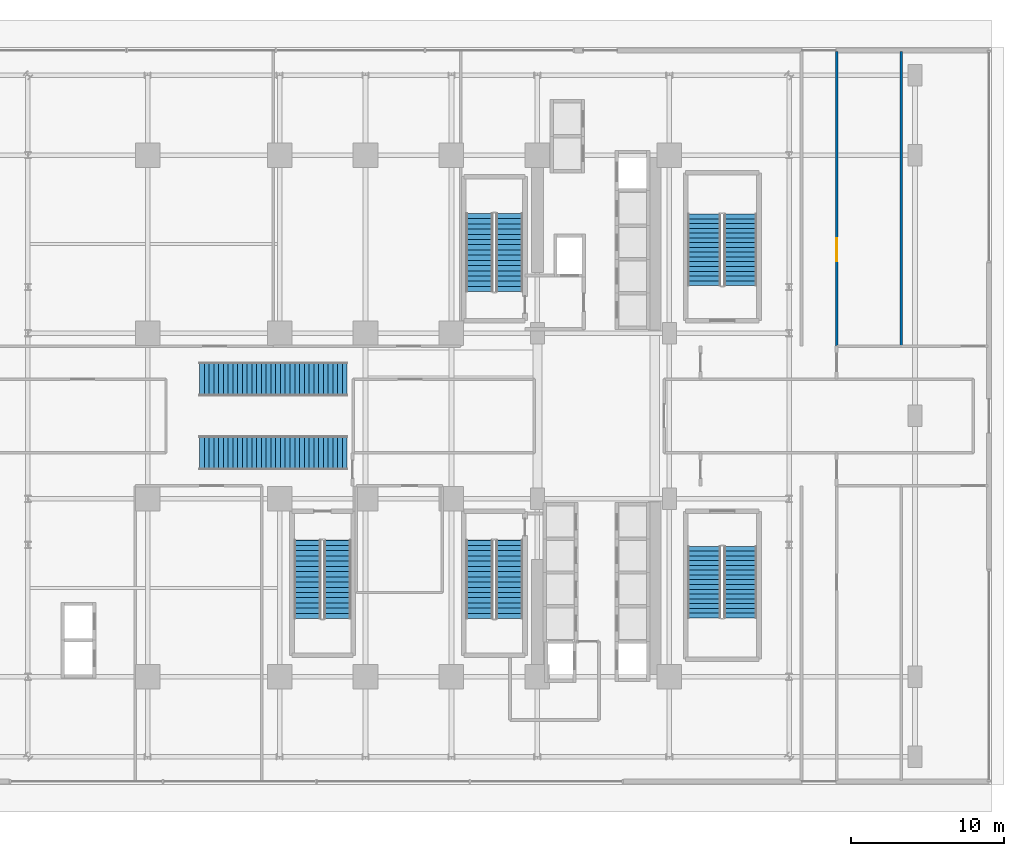
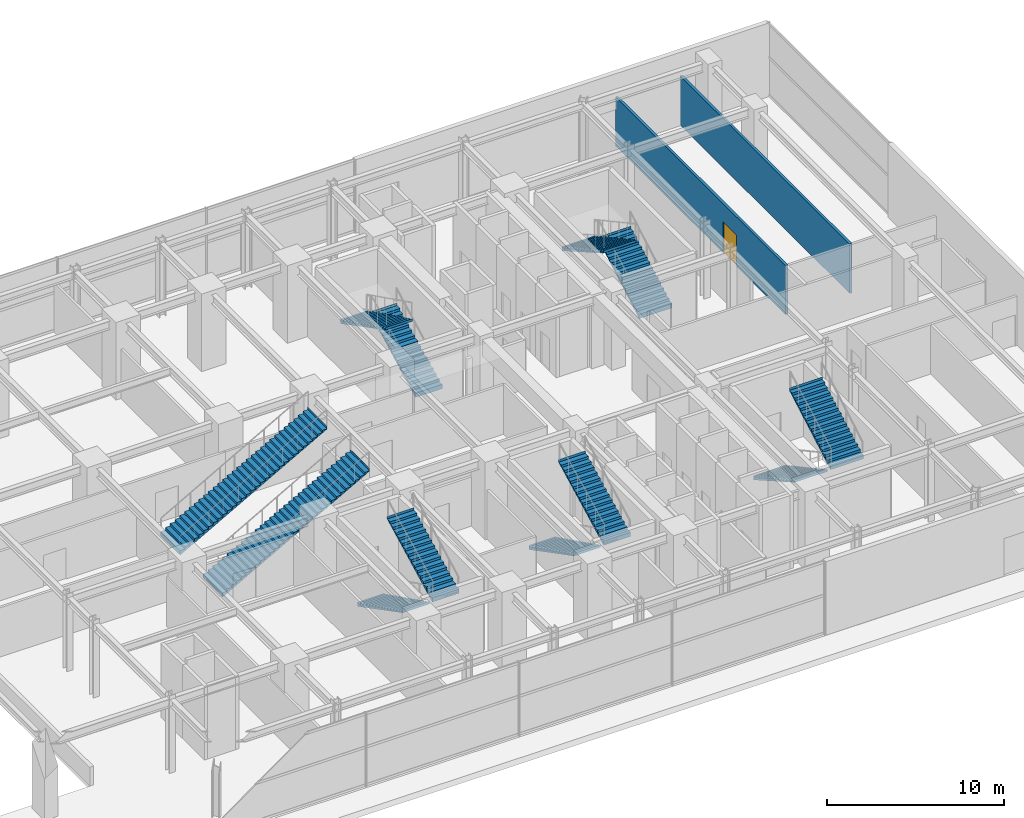
# One storey, part 26 of 29: 12 stair flights, 2 walls, 1 door, 1 opening, 7 elements without a shape of their own.
"""IFC4 building model written with IfcOpenShell, lengths in metres."""

from ifc_helpers import new_model, si_unit, direction, frame, frame_2d, origin, place, context, subcontext, project, spatial, polyline, rectangle, outline, extrude, source, transform, mapped, material, layer, layer_set, type_object, element, fill, aggregate, save


model = new_model("IFC4")

# Units and contexts
model_context = context("Model", 3, precision=1e-05, world=origin(), true_north=direction((0.0, 1.0)))
body_context = subcontext(model_context, "Body", "Model", "MODEL_VIEW")
ifc_project = project(units=[si_unit("LENGTHUNIT", "METRE"), si_unit("AREAUNIT", "SQUARE_METRE"), si_unit("VOLUMEUNIT", "CUBIC_METRE"), si_unit("PLANEANGLEUNIT", "RADIAN"), si_unit("MASSUNIT", "GRAM", prefix="KILO")], contexts=[model_context])

# Site, building, storey
site_placement = place(None, origin())
site = spatial("IfcSite", under=ifc_project, at=site_placement, CompositionType="ELEMENT")
building_placement = place(site_placement, origin())
building = spatial("IfcBuilding", under=site, at=building_placement, Name="Nahalor Promenade Grand Hotel", CompositionType="ELEMENT")
storey_placement = place(building_placement, origin())
storey = spatial("IfcBuildingStorey", under=building, at=storey_placement, Name="L00", CompositionType="ELEMENT", Elevation=0.0)

# Wall, opening, door
ifc_material_1 = material(Name="Acoustic Mineral Gypsum", Category="gypsum")
ifc_layer_1 = layer(ifc_material_1, 0.159912109375)
ifc_layer_set_1 = layer_set([ifc_layer_1], Name="Acoustic Mineral Gypsum")
wall_type = type_object("IfcWallType", Name="Wall-PartCorridor-160", PredefinedType="PARTITIONING", material=ifc_layer_set_1)
shared_shape_1 = source(origin(), body_context, "Body", "SweptSolid", [
    extrude(rectangle(XDim=19.2099609375, YDim=0.159912109375, at=frame_2d((9.60498046875, 0.0))), origin(), (0.0, 0.0, 1.0), 3.39990234375),
])
wall_1_placement = place(storey_placement, frame((27.89990234375, 4.550048828125, 0.0), z_axis=(0.0, 0.0, 1.0), x_axis=(0.0, 1.0, 0.0)))
wall_1 = element("IfcWall", 1, at=wall_1_placement, inside=storey, type_object=wall_type, Name="W-L00-PR06-W", PredefinedType="PARTITIONING", context=body_context, shape_type="MappedRepresentation", body=[
    mapped(shared_shape_1, transform((0.0, 0.0, 0.0), scale=1.0)),
])
opening_placement = place(wall_1_placement, frame((5.531005859375, 0.0, 0.0)))
opening = element("IfcOpeningElement", 2, at=opening_placement, cuts=wall_1, Name="Opening D-02", PredefinedType="OPENING", context=body_context, shape_type="SweptSolid", body=[
    extrude(rectangle(XDim=1.5, YDim=2.14990234375, at=frame_2d((0.75, 1.074951171875))), frame((0.0, 0.08984375, 0.0), z_axis=(0.0, -1.0, 0.0), x_axis=(1.0, 0.0, 0.0)), (0.0, 0.0, 1.0), 0.179931640625),
])
ifc_material_2 = material(Name="Fire-Rated Timber Composite", Category="wood")
door_type = type_object("IfcDoorType", Name="Door-SuiteDouble-1500", OperationType="DOUBLE_DOOR_SINGLE_SWING", PredefinedType="DOOR", material=ifc_material_2)
shared_shape_2 = source(origin(), body_context, "Body", "SweptSolid", [
    extrude(rectangle(XDim=1.5, YDim=2.14990234375, at=frame_2d((0.75, 1.074951171875))), frame((0.0, 0.02490234375, 0.0), z_axis=(0.0, -1.0, 0.0), x_axis=(1.0, 0.0, 0.0)), (0.0, 0.0, 1.0), 0.050048828125),
])
door_placement = place(opening_placement, frame((1.5, 0.0, 0.0), z_axis=(0.0, 0.0, 1.0), x_axis=(-1.0, 0.0, 0.0)))
door = element("IfcDoor", 3, at=door_placement, inside=storey, type_object=door_type, Name="DR-L00-PR06", OperationType="DOUBLE_DOOR_SINGLE_SWING", OverallHeight=2.14990234375, OverallWidth=1.5, PredefinedType="DOOR", context=body_context, shape_type="MappedRepresentation", body=[
    mapped(shared_shape_2, transform((0.0, 0.0, 0.0), scale=1.0)),
])
fill(opening, door)

# Wall
wall_2_placement = place(storey_placement, frame((32.10009765625, 4.550048828125, 0.0), z_axis=(0.0, 0.0, 1.0), x_axis=(0.0, 1.0, 0.0)))
element("IfcWall", 4, at=wall_2_placement, inside=storey, type_object=wall_type, Name="W-L00-PR06-E", PredefinedType="PARTITIONING", context=body_context, shape_type="MappedRepresentation", body=[
    mapped(shared_shape_1, transform((0.0, 0.0, 0.0), scale=1.0)),
])

# Stair, stair flights
ifc_material_3 = material(Name="Concrete B-50 (C40/50)", Category="concrete")
stair_type_1 = type_object("IfcStairType", Name="Stair-ST1", PredefinedType="HALF_TURN_STAIR", material=ifc_material_3)
stair_1_placement = place(storey_placement, origin())
stair_1 = element("IfcStair", 5, at=stair_1_placement, inside=storey, type_object=stair_type_1, Name="L00 ST1", PredefinedType="HALF_TURN_STAIR")
ifc_layer_2 = layer(ifc_material_3, 0.179931640625)
ifc_layer_set_2 = layer_set([ifc_layer_2], Name="Concrete B-50 (C40/50)")
stair_flight_type_1 = type_object("IfcStairFlightType", Name="Flight-ST1", PredefinedType="STRAIGHT", material=ifc_layer_set_2)
shared_shape_3 = source(origin(), body_context, "Body", "SweptSolid", [
    extrude(outline(polyline([(-0.00390625, -0.1201171875), (-0.00390625, 0.0), (0.0, 0.0), (0.0, 0.168701171875), (0.340087890625, 0.168701171875), (0.340087890625, 0.33740234375), (0.679931640625, 0.33740234375), (0.679931640625, 0.50634765625), (1.02001953125, 0.50634765625), (1.02001953125, 0.675048828125), (1.360107421875, 0.675048828125), (1.360107421875, 0.84375), (1.699951171875, 0.84375), (1.699951171875, 1.012451171875), (2.0400390625, 1.012451171875), (2.0400390625, 1.18115234375), (2.3798828125, 1.18115234375), (2.3798828125, 1.35009765625), (2.719970703125, 1.35009765625), (2.719970703125, 1.518798828125), (3.06005859375, 1.518798828125), (3.06005859375, 1.6875), (3.39990234375, 1.6875), (3.39990234375, 1.856201171875), (3.739990234375, 1.856201171875), (3.739990234375, 2.02490234375), (4.080078125, 2.02490234375), (4.080078125, 2.19384765625), (4.419921875, 2.19384765625), (4.419921875, 2.362548828125), (4.760009765625, 2.362548828125), (4.760009765625, 2.53125), (5.10009765625, 2.53125), (5.10009765625, 2.699951171875), (5.10400390625, 2.699951171875), (5.10400390625, 2.52001953125), (0.02001953125, -0.1201171875), (-0.00390625, -0.1201171875)])), frame((0.0, 0.875, 0.0), z_axis=(0.0, -1.0, 0.0), x_axis=(1.0, 0.0, 0.0)), (0.0, 0.0, 1.0), 1.75),
])
stair_flight_1_placement = place(storey_placement, frame((6.574951171875, 8.10009765625, 0.0), z_axis=(0.0, 0.0, 1.0), x_axis=(0.0, 1.0, 0.0)))
stair_flight_1 = element("IfcStairFlight", 6, at=stair_flight_1_placement, type_object=stair_flight_type_1, Name="ST1 flight 1", NumberOfRisers=16, NumberOfTreads=15, PredefinedType="STRAIGHT", RiserHeight=0.16875, TreadLength=0.34, context=body_context, shape_type="MappedRepresentation", body=[
    mapped(shared_shape_3, transform((0.0, 0.0, 0.0), scale=1.0)),
])
stair_flight_2_placement = place(storey_placement, frame((4.625, 13.199951171875, 2.699951171875), z_axis=(0.0, 0.0, 1.0), x_axis=(0.0, -1.0, 0.0)))
stair_flight_2 = element("IfcStairFlight", 7, at=stair_flight_2_placement, type_object=stair_flight_type_1, Name="ST1 flight 2", NumberOfRisers=16, NumberOfTreads=15, PredefinedType="STRAIGHT", RiserHeight=0.16875, TreadLength=0.34, context=body_context, shape_type="MappedRepresentation", body=[
    mapped(shared_shape_3, transform((0.0, 0.0, 0.0), scale=1.0)),
])
aggregate(stair_1, [stair_flight_1, stair_flight_2])

stair_type_2 = type_object("IfcStairType", Name="Stair-ST2", PredefinedType="HALF_TURN_STAIR", material=ifc_material_3)
stair_2_placement = place(storey_placement, origin())
stair_2 = element("IfcStair", 8, at=stair_2_placement, inside=storey, type_object=stair_type_2, Name="L00 ST2", PredefinedType="HALF_TURN_STAIR")
ifc_layer_3 = layer(ifc_material_3, 0.18994140625)
ifc_layer_set_3 = layer_set([ifc_layer_3], Name="Concrete B-50 (C40/50)")
stair_flight_type_2 = type_object("IfcStairFlightType", Name="Flight-ST2", PredefinedType="STRAIGHT", material=ifc_layer_set_3)
shared_shape_4 = source(origin(), body_context, "Body", "SweptSolid", [
    extrude(outline(polyline([(-0.00390625, -0.1201171875), (-0.00390625, 0.0), (0.0, 0.0), (0.0, 0.168701171875), (0.340087890625, 0.168701171875), (0.340087890625, 0.33740234375), (0.679931640625, 0.33740234375), (0.679931640625, 0.50634765625), (1.02001953125, 0.50634765625), (1.02001953125, 0.675048828125), (1.360107421875, 0.675048828125), (1.360107421875, 0.84375), (1.699951171875, 0.84375), (1.699951171875, 1.012451171875), (2.0400390625, 1.012451171875), (2.0400390625, 1.18115234375), (2.3798828125, 1.18115234375), (2.3798828125, 1.35009765625), (2.719970703125, 1.35009765625), (2.719970703125, 1.518798828125), (3.06005859375, 1.518798828125), (3.06005859375, 1.6875), (3.39990234375, 1.6875), (3.39990234375, 1.856201171875), (3.739990234375, 1.856201171875), (3.739990234375, 2.02490234375), (4.080078125, 2.02490234375), (4.080078125, 2.19384765625), (4.419921875, 2.19384765625), (4.419921875, 2.362548828125), (4.760009765625, 2.362548828125), (4.760009765625, 2.53125), (5.10009765625, 2.53125), (5.10009765625, 2.699951171875), (5.10400390625, 2.699951171875), (5.10400390625, 2.52001953125), (0.02001953125, -0.1201171875), (-0.00390625, -0.1201171875)])), frame((0.0, 0.875, 0.0), z_axis=(0.0, -1.0, 0.0), x_axis=(1.0, 0.0, 0.0)), (0.0, 0.0, 1.0), 1.75),
])
stair_flight_3_placement = place(storey_placement, frame((4.625, -8.10009765625, 0.0), z_axis=(0.0, 0.0, 1.0), x_axis=(0.0, -1.0, 0.0)))
stair_flight_3 = element("IfcStairFlight", 9, at=stair_flight_3_placement, type_object=stair_flight_type_2, Name="ST2 flight 1", NumberOfRisers=16, NumberOfTreads=15, PredefinedType="STRAIGHT", RiserHeight=0.16875, TreadLength=0.34, context=body_context, shape_type="MappedRepresentation", body=[
    mapped(shared_shape_4, transform((0.0, 0.0, 0.0), scale=1.0)),
])
stair_flight_4_placement = place(storey_placement, frame((6.574951171875, -13.199951171875, 2.699951171875), z_axis=(0.0, 0.0, 1.0), x_axis=(0.0, 1.0, 0.0)))
stair_flight_4 = element("IfcStairFlight", 10, at=stair_flight_4_placement, type_object=stair_flight_type_2, Name="ST2 flight 2", NumberOfRisers=16, NumberOfTreads=15, PredefinedType="STRAIGHT", RiserHeight=0.16875, TreadLength=0.34, context=body_context, shape_type="MappedRepresentation", body=[
    mapped(shared_shape_4, transform((0.0, 0.0, 0.0), scale=1.0)),
])
aggregate(stair_2, [stair_flight_3, stair_flight_4])

stair_type_3 = type_object("IfcStairType", Name="Stair-ST3", PredefinedType="HALF_TURN_STAIR", material=ifc_material_3)
stair_3_placement = place(storey_placement, origin())
stair_3 = element("IfcStair", 11, at=stair_3_placement, inside=storey, type_object=stair_type_3, Name="L00 ST3", PredefinedType="HALF_TURN_STAIR")
ifc_layer_4 = layer(ifc_material_3, 0.199951171875)
ifc_layer_set_4 = layer_set([ifc_layer_4], Name="Concrete B-50 (C40/50)")
stair_flight_type_3 = type_object("IfcStairFlightType", Name="Flight-ST3", PredefinedType="STRAIGHT", material=ifc_layer_set_4)
shared_shape_5 = source(origin(), body_context, "Body", "SweptSolid", [
    extrude(outline(polyline([(-0.00390625, -0.1201171875), (-0.00390625, 0.0), (0.0, 0.0), (0.0, 0.168701171875), (0.340087890625, 0.168701171875), (0.340087890625, 0.33740234375), (0.679931640625, 0.33740234375), (0.679931640625, 0.50634765625), (1.02001953125, 0.50634765625), (1.02001953125, 0.675048828125), (1.360107421875, 0.675048828125), (1.360107421875, 0.84375), (1.699951171875, 0.84375), (1.699951171875, 1.012451171875), (2.0400390625, 1.012451171875), (2.0400390625, 1.18115234375), (2.3798828125, 1.18115234375), (2.3798828125, 1.35009765625), (2.719970703125, 1.35009765625), (2.719970703125, 1.518798828125), (3.06005859375, 1.518798828125), (3.06005859375, 1.6875), (3.39990234375, 1.6875), (3.39990234375, 1.856201171875), (3.739990234375, 1.856201171875), (3.739990234375, 2.02490234375), (4.080078125, 2.02490234375), (4.080078125, 2.19384765625), (4.419921875, 2.19384765625), (4.419921875, 2.362548828125), (4.760009765625, 2.362548828125), (4.760009765625, 2.53125), (5.10009765625, 2.53125), (5.10009765625, 2.699951171875), (5.10400390625, 2.699951171875), (5.10400390625, 2.52001953125), (0.02001953125, -0.1201171875), (-0.00390625, -0.1201171875)])), frame((0.0, 0.875, 0.0), z_axis=(0.0, -1.0, 0.0), x_axis=(1.0, 0.0, 0.0)), (0.0, 0.0, 1.0), 1.75),
])
stair_flight_5_placement = place(storey_placement, frame((-6.574951171875, -8.10009765625, 0.0), z_axis=(0.0, 0.0, 1.0), x_axis=(0.0, -1.0, 0.0)))
stair_flight_5 = element("IfcStairFlight", 12, at=stair_flight_5_placement, type_object=stair_flight_type_3, Name="ST3 flight 1", NumberOfRisers=16, NumberOfTreads=15, PredefinedType="STRAIGHT", RiserHeight=0.16875, TreadLength=0.34, context=body_context, shape_type="MappedRepresentation", body=[
    mapped(shared_shape_5, transform((0.0, 0.0, 0.0), scale=1.0)),
])
stair_flight_6_placement = place(storey_placement, frame((-4.625, -13.199951171875, 2.699951171875), z_axis=(0.0, 0.0, 1.0), x_axis=(0.0, 1.0, 0.0)))
stair_flight_6 = element("IfcStairFlight", 13, at=stair_flight_6_placement, type_object=stair_flight_type_3, Name="ST3 flight 2", NumberOfRisers=16, NumberOfTreads=15, PredefinedType="STRAIGHT", RiserHeight=0.16875, TreadLength=0.34, context=body_context, shape_type="MappedRepresentation", body=[
    mapped(shared_shape_5, transform((0.0, 0.0, 0.0), scale=1.0)),
])
aggregate(stair_3, [stair_flight_5, stair_flight_6])

stair_type_4 = type_object("IfcStairType", Name="Stair-ST4", PredefinedType="HALF_TURN_STAIR", material=ifc_material_3)
stair_4_placement = place(storey_placement, origin())
stair_4 = element("IfcStair", 14, at=stair_4_placement, inside=storey, type_object=stair_type_4, Name="L00 ST4", PredefinedType="HALF_TURN_STAIR")
ifc_layer_5 = layer(ifc_material_3, 0.2099609375)
ifc_layer_set_5 = layer_set([ifc_layer_5], Name="Concrete B-50 (C40/50)")
stair_flight_type_4 = type_object("IfcStairFlightType", Name="Flight-ST4", PredefinedType="STRAIGHT", material=ifc_layer_set_5)
shared_shape_6 = source(origin(), body_context, "Body", "SweptSolid", [
    extrude(outline(polyline([(-0.00390625, -0.1201171875), (-0.00390625, 0.0), (0.0, 0.0), (0.0, 0.168701171875), (0.31005859375, 0.168701171875), (0.31005859375, 0.33740234375), (0.6201171875, 0.33740234375), (0.6201171875, 0.50634765625), (0.929931640625, 0.50634765625), (0.929931640625, 0.675048828125), (1.239990234375, 0.675048828125), (1.239990234375, 0.84375), (1.550048828125, 0.84375), (1.550048828125, 1.012451171875), (1.860107421875, 1.012451171875), (1.860107421875, 1.18115234375), (2.169921875, 1.18115234375), (2.169921875, 1.35009765625), (2.47998046875, 1.35009765625), (2.47998046875, 1.518798828125), (2.7900390625, 1.518798828125), (2.7900390625, 1.6875), (3.10009765625, 1.6875), (3.10009765625, 1.856201171875), (3.409912109375, 1.856201171875), (3.409912109375, 2.02490234375), (3.719970703125, 2.02490234375), (3.719970703125, 2.19384765625), (4.030029296875, 2.19384765625), (4.030029296875, 2.362548828125), (4.340087890625, 2.362548828125), (4.340087890625, 2.53125), (4.64990234375, 2.53125), (4.64990234375, 2.699951171875), (4.654052734375, 2.699951171875), (4.654052734375, 2.52001953125), (0.02001953125, -0.1201171875), (-0.00390625, -0.1201171875)])), frame((0.0, 1.074951171875, 0.0), z_axis=(0.0, -1.0, 0.0), x_axis=(1.0, 0.0, 0.0)), (0.0, 0.0, 1.0), 2.14990234375),
])
stair_flight_7_placement = place(storey_placement, frame((21.625, 8.5, 0.0), z_axis=(0.0, 0.0, 1.0), x_axis=(0.0, 1.0, 0.0)))
stair_flight_7 = element("IfcStairFlight", 15, at=stair_flight_7_placement, type_object=stair_flight_type_4, Name="ST4 flight 1", NumberOfRisers=16, NumberOfTreads=15, PredefinedType="STRAIGHT", RiserHeight=0.16875, TreadLength=0.31, context=body_context, shape_type="MappedRepresentation", body=[
    mapped(shared_shape_6, transform((0.0, 0.0, 0.0), scale=1.0)),
])
stair_flight_8_placement = place(storey_placement, frame((19.27490234375, 13.14990234375, 2.699951171875), z_axis=(0.0, 0.0, 1.0), x_axis=(0.0, -1.0, 0.0)))
stair_flight_8 = element("IfcStairFlight", 16, at=stair_flight_8_placement, type_object=stair_flight_type_4, Name="ST4 flight 2", NumberOfRisers=16, NumberOfTreads=15, PredefinedType="STRAIGHT", RiserHeight=0.16875, TreadLength=0.31, context=body_context, shape_type="MappedRepresentation", body=[
    mapped(shared_shape_6, transform((0.0, 0.0, 0.0), scale=1.0)),
])
aggregate(stair_4, [stair_flight_7, stair_flight_8])

stair_type_5 = type_object("IfcStairType", Name="Stair-ST5", PredefinedType="HALF_TURN_STAIR", material=ifc_material_3)
stair_5_placement = place(storey_placement, origin())
stair_5 = element("IfcStair", 17, at=stair_5_placement, inside=storey, type_object=stair_type_5, Name="L00 ST5", PredefinedType="HALF_TURN_STAIR")
ifc_layer_6 = layer(ifc_material_3, 0.219970703125)
ifc_layer_set_6 = layer_set([ifc_layer_6], Name="Concrete B-50 (C40/50)")
stair_flight_type_5 = type_object("IfcStairFlightType", Name="Flight-ST5", PredefinedType="STRAIGHT", material=ifc_layer_set_6)
shared_shape_7 = source(origin(), body_context, "Body", "SweptSolid", [
    extrude(outline(polyline([(-0.00390625, -0.1201171875), (-0.00390625, 0.0), (0.0, 0.0), (0.0, 0.168701171875), (0.31005859375, 0.168701171875), (0.31005859375, 0.33740234375), (0.6201171875, 0.33740234375), (0.6201171875, 0.50634765625), (0.929931640625, 0.50634765625), (0.929931640625, 0.675048828125), (1.239990234375, 0.675048828125), (1.239990234375, 0.84375), (1.550048828125, 0.84375), (1.550048828125, 1.012451171875), (1.860107421875, 1.012451171875), (1.860107421875, 1.18115234375), (2.169921875, 1.18115234375), (2.169921875, 1.35009765625), (2.47998046875, 1.35009765625), (2.47998046875, 1.518798828125), (2.7900390625, 1.518798828125), (2.7900390625, 1.6875), (3.10009765625, 1.6875), (3.10009765625, 1.856201171875), (3.409912109375, 1.856201171875), (3.409912109375, 2.02490234375), (3.719970703125, 2.02490234375), (3.719970703125, 2.19384765625), (4.030029296875, 2.19384765625), (4.030029296875, 2.362548828125), (4.340087890625, 2.362548828125), (4.340087890625, 2.53125), (4.64990234375, 2.53125), (4.64990234375, 2.699951171875), (4.654052734375, 2.699951171875), (4.654052734375, 2.52001953125), (0.02001953125, -0.1201171875), (-0.00390625, -0.1201171875)])), frame((0.0, 1.074951171875, 0.0), z_axis=(0.0, -1.0, 0.0), x_axis=(1.0, 0.0, 0.0)), (0.0, 0.0, 1.0), 2.14990234375),
])
stair_flight_9_placement = place(storey_placement, frame((19.27490234375, -8.5, 0.0), z_axis=(0.0, 0.0, 1.0), x_axis=(0.0, -1.0, 0.0)))
stair_flight_9 = element("IfcStairFlight", 18, at=stair_flight_9_placement, type_object=stair_flight_type_5, Name="ST5 flight 1", NumberOfRisers=16, NumberOfTreads=15, PredefinedType="STRAIGHT", RiserHeight=0.16875, TreadLength=0.31, context=body_context, shape_type="MappedRepresentation", body=[
    mapped(shared_shape_7, transform((0.0, 0.0, 0.0), scale=1.0)),
])
stair_flight_10_placement = place(storey_placement, frame((21.625, -13.14990234375, 2.699951171875), z_axis=(0.0, 0.0, 1.0), x_axis=(0.0, 1.0, 0.0)))
stair_flight_10 = element("IfcStairFlight", 19, at=stair_flight_10_placement, type_object=stair_flight_type_5, Name="ST5 flight 2", NumberOfRisers=16, NumberOfTreads=15, PredefinedType="STRAIGHT", RiserHeight=0.16875, TreadLength=0.31, context=body_context, shape_type="MappedRepresentation", body=[
    mapped(shared_shape_7, transform((0.0, 0.0, 0.0), scale=1.0)),
])
aggregate(stair_5, [stair_flight_9, stair_flight_10])

# Stair, stair flight
stair_type_6 = type_object("IfcStairType", Name="Stair-Monumental-2200", PredefinedType="STRAIGHT_RUN_STAIR", material=ifc_material_3)
stair_6_placement = place(storey_placement, origin())
stair_6 = element("IfcStair", 20, at=stair_6_placement, inside=storey, type_object=stair_type_6, Name="L00 Monumental Feature Stair STM1", PredefinedType="STRAIGHT_RUN_STAIR")
ifc_layer_7 = layer(ifc_material_3, 0.239990234375)
ifc_layer_set_7 = layer_set([ifc_layer_7], Name="Concrete B-50 (C40/50)")
stair_flight_type_6 = type_object("IfcStairFlightType", Name="Flight-Monumental-2200", PredefinedType="STRAIGHT", material=ifc_layer_set_7)
shared_shape_8 = source(origin(), body_context, "Body", "SweptSolid", [
    extrude(outline(polyline([(-0.00390625, -0.1201171875), (-0.00390625, 0.0), (0.0, 0.0), (0.0, 0.168701171875), (0.31005859375, 0.168701171875), (0.31005859375, 0.33740234375), (0.6201171875, 0.33740234375), (0.6201171875, 0.50634765625), (0.929931640625, 0.50634765625), (0.929931640625, 0.675048828125), (1.239990234375, 0.675048828125), (1.239990234375, 0.84375), (1.550048828125, 0.84375), (1.550048828125, 1.012451171875), (1.860107421875, 1.012451171875), (1.860107421875, 1.18115234375), (2.169921875, 1.18115234375), (2.169921875, 1.35009765625), (2.47998046875, 1.35009765625), (2.47998046875, 1.518798828125), (2.7900390625, 1.518798828125), (2.7900390625, 1.6875), (3.10009765625, 1.6875), (3.10009765625, 1.856201171875), (3.409912109375, 1.856201171875), (3.409912109375, 2.02490234375), (3.719970703125, 2.02490234375), (3.719970703125, 2.19384765625), (4.030029296875, 2.19384765625), (4.030029296875, 2.362548828125), (4.340087890625, 2.362548828125), (4.340087890625, 2.53125), (4.64990234375, 2.53125), (4.64990234375, 2.699951171875), (4.9599609375, 2.699951171875), (4.9599609375, 2.86865234375), (5.27001953125, 2.86865234375), (5.27001953125, 3.03759765625), (5.580078125, 3.03759765625), (5.580078125, 3.206298828125), (5.889892578125, 3.206298828125), (5.889892578125, 3.375), (6.199951171875, 3.375), (6.199951171875, 3.543701171875), (6.510009765625, 3.543701171875), (6.510009765625, 3.71240234375), (6.820068359375, 3.71240234375), (6.820068359375, 3.88134765625), (7.1298828125, 3.88134765625), (7.1298828125, 4.050048828125), (7.43994140625, 4.050048828125), (7.43994140625, 4.21875), (7.75, 4.21875), (7.75, 4.387451171875), (8.06005859375, 4.387451171875), (8.06005859375, 4.55615234375), (8.3701171875, 4.55615234375), (8.3701171875, 4.72509765625), (8.679931640625, 4.72509765625), (8.679931640625, 4.893798828125), (8.989990234375, 4.893798828125), (8.989990234375, 5.0625), (9.300048828125, 5.0625), (9.300048828125, 5.231201171875), (9.610107421875, 5.231201171875), (9.610107421875, 5.39990234375), (9.614013671875, 5.39990234375), (9.614013671875, 5.219970703125), (0.02001953125, -0.1201171875), (-0.00390625, -0.1201171875)])), frame((0.0, 1.10009765625, 0.0), z_axis=(0.0, -1.0, 0.0), x_axis=(1.0, 0.0, 0.0)), (0.0, 0.0, 1.0), 2.199951171875),
])
stair_flight_11_placement = place(storey_placement, frame((-13.610107421875, -2.39990234375, 0.0), z_axis=(0.0, 0.0, 1.0), x_axis=(1.0, 0.0, 0.0)))
stair_flight_11 = element("IfcStairFlight", 21, at=stair_flight_11_placement, type_object=stair_flight_type_6, Name="ST-M1 flight 1", NumberOfRisers=32, NumberOfTreads=31, PredefinedType="STRAIGHT", RiserHeight=0.16875, TreadLength=0.31, context=body_context, shape_type="MappedRepresentation", body=[
    mapped(shared_shape_8, transform((0.0, 0.0, 0.0), scale=1.0)),
])
aggregate(stair_6, [stair_flight_11])

stair_7_placement = place(storey_placement, origin())
stair_7 = element("IfcStair", 22, at=stair_7_placement, inside=storey, type_object=stair_type_6, Name="L00 Monumental Feature Stair STM2", PredefinedType="STRAIGHT_RUN_STAIR")
stair_flight_12_placement = place(storey_placement, frame((-13.610107421875, 2.39990234375, 0.0), z_axis=(0.0, 0.0, 1.0), x_axis=(1.0, 0.0, 0.0)))
stair_flight_12 = element("IfcStairFlight", 23, at=stair_flight_12_placement, type_object=stair_flight_type_6, Name="ST-M1 flight 1", NumberOfRisers=32, NumberOfTreads=31, PredefinedType="STRAIGHT", RiserHeight=0.16875, TreadLength=0.31, context=body_context, shape_type="MappedRepresentation", body=[
    mapped(shared_shape_8, transform((0.0, 0.0, 0.0), scale=1.0)),
])
aggregate(stair_7, [stair_flight_12])

save(model, "model.ifc")
